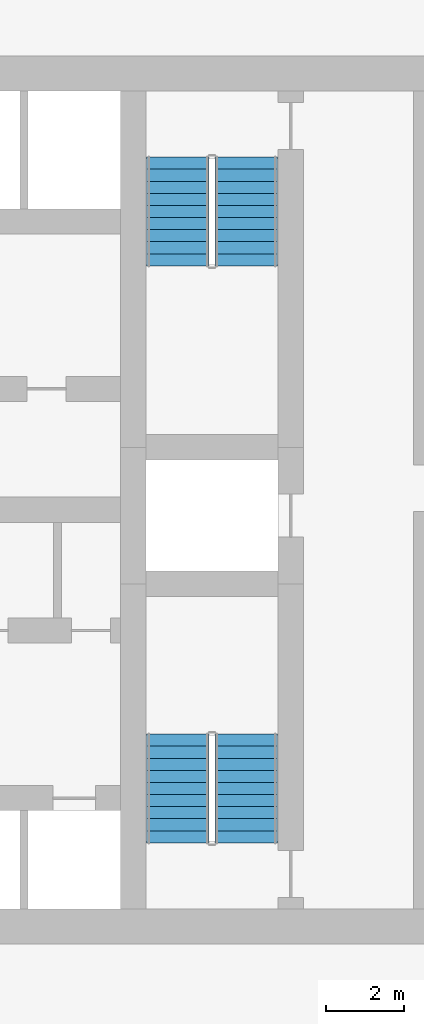
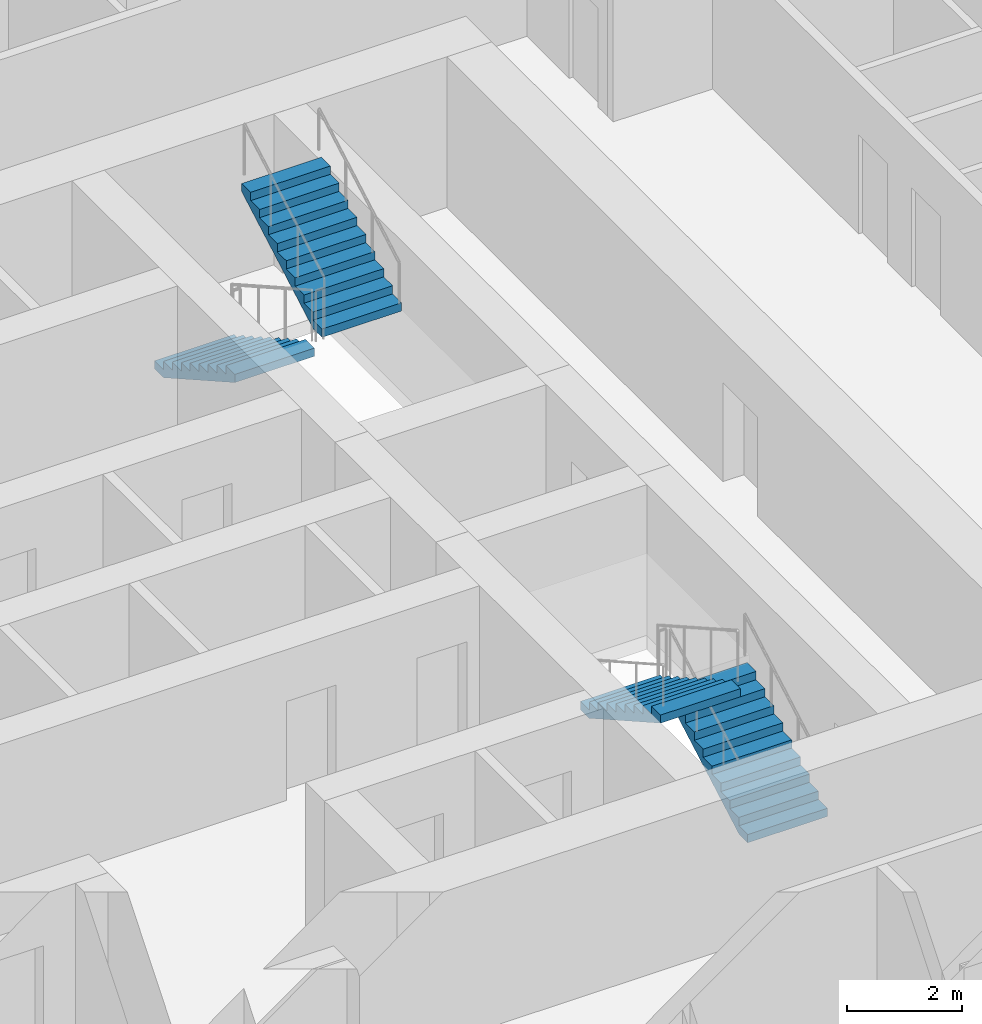
# One storey, part 16 of 22: 4 stair flights, 2 elements without a shape of their own.
"""IFC4 building model written with IfcOpenShell, lengths in metres."""

from ifc_helpers import new_model, si_unit, direction, frame, origin, place, context, subcontext, project, spatial, polyline, outline, extrude, material, type_object, element, aggregate, save


model = new_model("IFC4")

# Units and contexts
model_context = context("Model", 3, precision=1e-05, world=origin(), true_north=direction((0.0, 1.0)))
body_context = subcontext(model_context, "Body", "Model", "MODEL_VIEW")
ifc_project = project(units=[si_unit("LENGTHUNIT", "METRE"), si_unit("AREAUNIT", "SQUARE_METRE"), si_unit("VOLUMEUNIT", "CUBIC_METRE"), si_unit("PLANEANGLEUNIT", "RADIAN"), si_unit("MASSUNIT", "GRAM", prefix="KILO")], contexts=[model_context])

# Site, building, storey
site_placement = place(None, origin())
site = spatial("IfcSite", under=ifc_project, at=site_placement, CompositionType="ELEMENT")
building_placement = place(site_placement, origin())
building = spatial("IfcBuilding", under=site, at=building_placement, Name="Madar Terraces", CompositionType="ELEMENT")
storey_placement = place(building_placement, frame((0.0, 0.0, 103.199951171875)))
storey = spatial("IfcBuildingStorey", under=building, at=storey_placement, Name="L26", CompositionType="ELEMENT", Elevation=103.199951171875)

# Stair, stair flights
ifc_material_1 = material(Name="Concrete C50/60", Category="concrete")
stair_type_1 = type_object("IfcStairType", Name="Stair ST2 protected exit", PredefinedType="HALF_TURN_STAIR", material=ifc_material_1)
stair_1_placement = place(storey_placement, origin())
stair_1 = element("IfcStair", 1, at=stair_1_placement, inside=storey, type_object=stair_type_1, Name="L26 Protected Exit Stair ST2", PredefinedType="HALF_TURN_STAIR")
ifc_material_2 = material(Name="Concrete C50/60", Category="concrete")
stair_flight_type_1 = type_object("IfcStairFlightType", Name="Stair flight ST2-F4, 1600 wide, 10 risers", PredefinedType="STRAIGHT", material=ifc_material_2)
stair_flight_1_placement = place(storey_placement, frame((40.449951171875, 35.199951171875, 0.0), z_axis=(0.0, 0.0, 1.0), x_axis=(0.0, -1.0, 0.0)))
stair_flight_1 = element("IfcStairFlight", 2, at=stair_flight_1_placement, type_object=stair_flight_type_1, Name="ST2 flight 1", NumberOfRisers=10, NumberOfTreads=9, PredefinedType="STRAIGHT", RiserHeight=0.175, TreadLength=0.31, context=body_context, shape_type="SweptSolid", body=[
    extrude(outline(polyline([(0.0, 0.0), (0.0, 0.175048828125), (0.31005859375, 0.175048828125), (0.31005859375, 0.35009765625), (0.6201171875, 0.35009765625), (0.6201171875, 0.52490234375), (0.929931640625, 0.52490234375), (0.929931640625, 0.699951171875), (1.239990234375, 0.699951171875), (1.239990234375, 0.875), (1.550048828125, 0.875), (1.550048828125, 1.050048828125), (1.860107421875, 1.050048828125), (1.860107421875, 1.22509765625), (2.169921875, 1.22509765625), (2.169921875, 1.39990234375), (2.47998046875, 1.39990234375), (2.47998046875, 1.574951171875), (2.7900390625, 1.574951171875), (2.7900390625, 1.75), (2.7900390625, 1.40283203125), (0.304931640625, 0.0), (0.0, 0.0)])), frame((0.0, 0.800048828125, 0.0), z_axis=(0.0, -1.0, 0.0), x_axis=(1.0, 0.0, 0.0)), (0.0, 0.0, 1.0), 1.60009765625),
])
stair_flight_2_placement = place(storey_placement, frame((42.199951171875, 32.409912109375, 1.75), z_axis=(0.0, 0.0, 1.0), x_axis=(0.0, 1.0, 0.0)))
stair_flight_2 = element("IfcStairFlight", 3, at=stair_flight_2_placement, type_object=stair_flight_type_1, Name="ST2 flight 2", NumberOfRisers=10, NumberOfTreads=9, PredefinedType="STRAIGHT", RiserHeight=0.175, TreadLength=0.31, context=body_context, shape_type="SweptSolid", body=[
    extrude(outline(polyline([(0.0, 0.0), (0.0, 0.175048828125), (0.31005859375, 0.175048828125), (0.31005859375, 0.35009765625), (0.6201171875, 0.35009765625), (0.6201171875, 0.52490234375), (0.929931640625, 0.52490234375), (0.929931640625, 0.699951171875), (1.239990234375, 0.699951171875), (1.239990234375, 0.875), (1.550048828125, 0.875), (1.550048828125, 1.050048828125), (1.860107421875, 1.050048828125), (1.860107421875, 1.22509765625), (2.169921875, 1.22509765625), (2.169921875, 1.39990234375), (2.47998046875, 1.39990234375), (2.47998046875, 1.574951171875), (2.7900390625, 1.574951171875), (2.7900390625, 1.75), (2.7900390625, 1.40283203125), (0.304931640625, 0.0), (0.0, 0.0)])), frame((0.0, 0.800048828125, 0.0), z_axis=(0.0, -1.0, 0.0), x_axis=(1.0, 0.0, 0.0)), (0.0, 0.0, 1.0), 1.60009765625),
])
aggregate(stair_1, [stair_flight_1, stair_flight_2])

ifc_material_3 = material(Name="Concrete C50/60", Category="concrete")
stair_type_2 = type_object("IfcStairType", Name="Stair ST3 protected exit", PredefinedType="HALF_TURN_STAIR", material=ifc_material_3)
stair_2_placement = place(storey_placement, origin())
stair_2 = element("IfcStair", 4, at=stair_2_placement, inside=storey, type_object=stair_type_2, Name="L26 Protected Exit Stair ST3", PredefinedType="HALF_TURN_STAIR")
ifc_material_4 = material(Name="Concrete C50/60", Category="concrete")
stair_flight_type_2 = type_object("IfcStairFlightType", Name="Stair flight ST3-F4, 1600 wide, 10 risers", PredefinedType="STRAIGHT", material=ifc_material_4)
stair_flight_3_placement = place(storey_placement, frame((42.199951171875, 17.60009765625, 0.0), z_axis=(0.0, 0.0, 1.0), x_axis=(0.0, 1.0, 0.0)))
stair_flight_3 = element("IfcStairFlight", 5, at=stair_flight_3_placement, type_object=stair_flight_type_2, Name="ST3 flight 1", NumberOfRisers=10, NumberOfTreads=9, PredefinedType="STRAIGHT", RiserHeight=0.175, TreadLength=0.31, context=body_context, shape_type="SweptSolid", body=[
    extrude(outline(polyline([(0.0, 0.0), (0.0, 0.175048828125), (0.31005859375, 0.175048828125), (0.31005859375, 0.35009765625), (0.6201171875, 0.35009765625), (0.6201171875, 0.52490234375), (0.929931640625, 0.52490234375), (0.929931640625, 0.699951171875), (1.239990234375, 0.699951171875), (1.239990234375, 0.875), (1.550048828125, 0.875), (1.550048828125, 1.050048828125), (1.860107421875, 1.050048828125), (1.860107421875, 1.22509765625), (2.169921875, 1.22509765625), (2.169921875, 1.39990234375), (2.47998046875, 1.39990234375), (2.47998046875, 1.574951171875), (2.7900390625, 1.574951171875), (2.7900390625, 1.75), (2.7900390625, 1.40283203125), (0.304931640625, 0.0), (0.0, 0.0)])), frame((0.0, 0.800048828125, 0.0), z_axis=(0.0, -1.0, 0.0), x_axis=(1.0, 0.0, 0.0)), (0.0, 0.0, 1.0), 1.60009765625),
])
stair_flight_4_placement = place(storey_placement, frame((40.449951171875, 20.389892578125, 1.75), z_axis=(0.0, 0.0, 1.0), x_axis=(0.0, -1.0, 0.0)))
stair_flight_4 = element("IfcStairFlight", 6, at=stair_flight_4_placement, type_object=stair_flight_type_2, Name="ST3 flight 2", NumberOfRisers=10, NumberOfTreads=9, PredefinedType="STRAIGHT", RiserHeight=0.175, TreadLength=0.31, context=body_context, shape_type="SweptSolid", body=[
    extrude(outline(polyline([(0.0, 0.0), (0.0, 0.175048828125), (0.31005859375, 0.175048828125), (0.31005859375, 0.35009765625), (0.6201171875, 0.35009765625), (0.6201171875, 0.52490234375), (0.929931640625, 0.52490234375), (0.929931640625, 0.699951171875), (1.239990234375, 0.699951171875), (1.239990234375, 0.875), (1.550048828125, 0.875), (1.550048828125, 1.050048828125), (1.860107421875, 1.050048828125), (1.860107421875, 1.22509765625), (2.169921875, 1.22509765625), (2.169921875, 1.39990234375), (2.47998046875, 1.39990234375), (2.47998046875, 1.574951171875), (2.7900390625, 1.574951171875), (2.7900390625, 1.75), (2.7900390625, 1.40283203125), (0.304931640625, 0.0), (0.0, 0.0)])), frame((0.0, 0.800048828125, 0.0), z_axis=(0.0, -1.0, 0.0), x_axis=(1.0, 0.0, 0.0)), (0.0, 0.0, 1.0), 1.60009765625),
])
aggregate(stair_2, [stair_flight_3, stair_flight_4])

save(model, "model.ifc")
